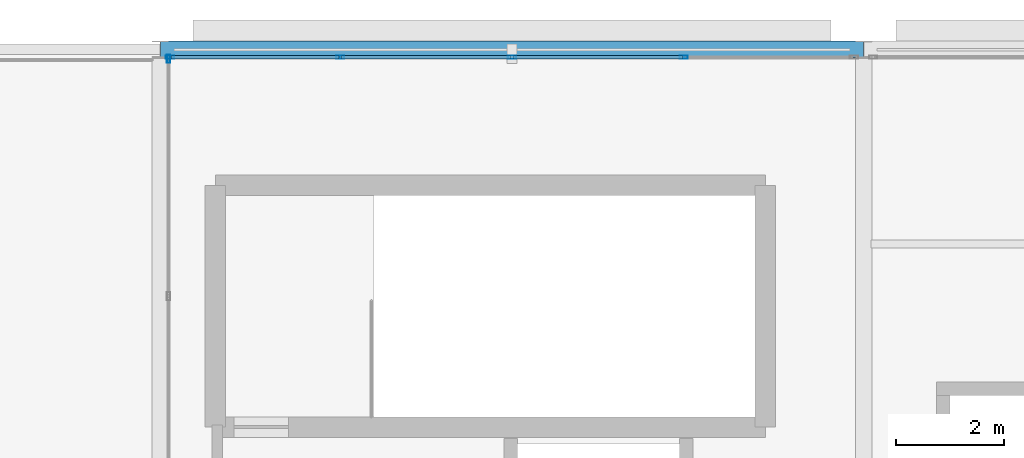
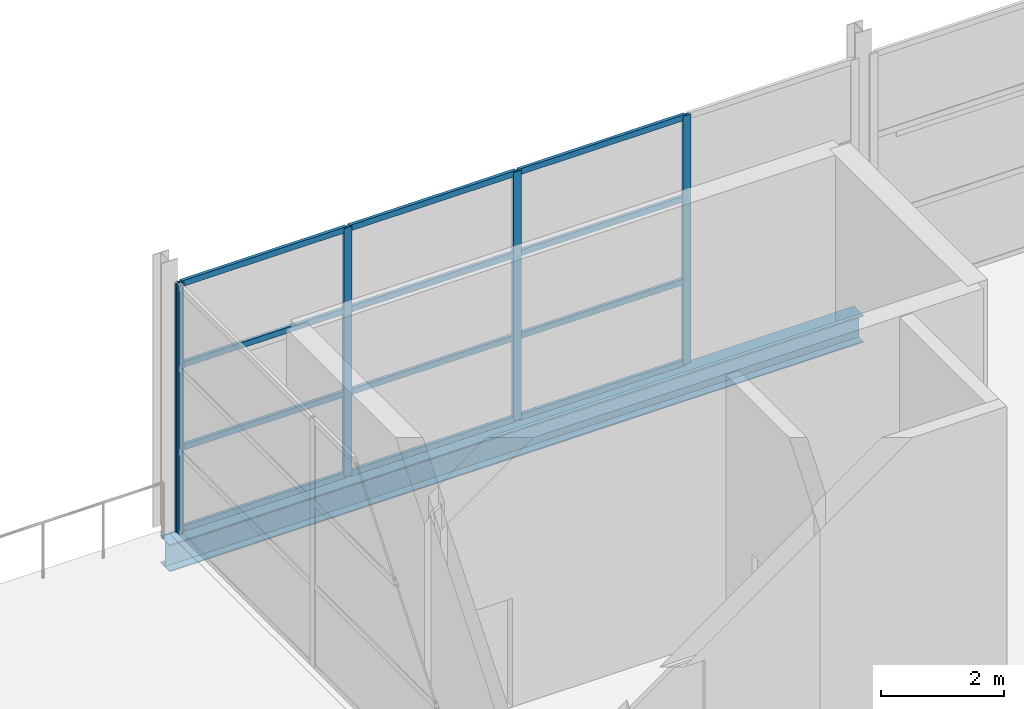
# One storey, part 20 of 34: 17 members, 1 beam, 2 elements without a shape of their own.
"""IFC4 building model written with IfcOpenShell, lengths in metres."""

from ifc_helpers import new_model, si_unit, direction, frame, origin, origin_2d, place, context, subcontext, project, spatial, hollow_rectangle, i_section, extrude, material, layer, layer_set, material_profile, profile_set, type_object, element, aggregate, save


model = new_model("IFC4")

# Units and contexts
model_context = context("Model", 3, precision=1e-05, world=origin(), true_north=direction((0.0, 1.0)))
body_context = subcontext(model_context, "Body", "Model", "MODEL_VIEW")
ifc_project = project(units=[si_unit("LENGTHUNIT", "METRE"), si_unit("AREAUNIT", "SQUARE_METRE"), si_unit("VOLUMEUNIT", "CUBIC_METRE"), si_unit("PLANEANGLEUNIT", "RADIAN"), si_unit("MASSUNIT", "GRAM", prefix="KILO")], contexts=[model_context])

# Site, building, storey
site_placement = place(None, origin())
site = spatial("IfcSite", under=ifc_project, at=site_placement, CompositionType="ELEMENT")
building_placement = place(site_placement, origin())
building = spatial("IfcBuilding", under=site, at=building_placement, Name="Tamarisk Ironworks Central Station", CompositionType="ELEMENT")
storey_placement = place(building_placement, frame((0.0, 0.0, 25.199951171875)))
storey = spatial("IfcBuildingStorey", under=building, at=storey_placement, Name="L05", CompositionType="ELEMENT", Elevation=25.199951171875)

# Beam
ifc_material_1 = material(Name="Structural steel S355J2", Category="steel")
ifc_material_profile_1 = material_profile(ifc_material_1, i_section(OverallWidth=0.300048828125, OverallDepth=0.5400390625, WebThickness=0.012451171875, FlangeThickness=0.02392578125, at=origin_2d()), Name="HEA 550")
ifc_profile_set_1 = profile_set([ifc_material_profile_1], Name="Structural steel S355J2")
beam_type = type_object("IfcBeamType", Name="BM-G04", PredefinedType="BEAM", material=ifc_profile_set_1)
beam_placement = place(storey_placement, frame((140.00390625, 122.39990234375, -0.489990234375), z_axis=(1.0, 0.0, 0.0), x_axis=(0.0, 1.0, 0.0)))
element("IfcBeam", 1, at=beam_placement, inside=storey, type_object=beam_type, Name="L05 primary girder X-0767", PredefinedType="BEAM", context=body_context, shape_type="SweptSolid", body=[
    extrude(i_section(OverallWidth=0.300048828125, OverallDepth=0.5400390625, WebThickness=0.012451171875, FlangeThickness=0.02392578125, at=origin_2d()), origin(), (0.0, 0.0, 1.0), 12.9921875),
])

# Curtain wall, members
ifc_material_2 = material(Name="Anodized aluminium alloy 6063-T6", Category="aluminium")
ifc_layer = layer(ifc_material_2, 0.179931640625)
ifc_layer_set = layer_set([ifc_layer], Name="Anodized aluminium alloy 6063-T6")
curtain_wall_type = type_object("IfcCurtainWallType", Name="CW-20", PredefinedType="USERDEFINED", material=ifc_layer_set)
curtain_wall_1_placement = place(storey_placement, origin())
curtain_wall_1 = element("IfcCurtainWall", 2, at=curtain_wall_1_placement, inside=storey, type_object=curtain_wall_type, Name="Operations L05 north facade curtain wall 140", ObjectType="GLAZED CURTAIN WALL", PredefinedType="USERDEFINED")
ifc_material_profile_2 = material_profile(ifc_material_2, hollow_rectangle(XDim=0.06005859375, YDim=0.14990234375, WallThickness=0.00341796875, at=origin_2d()), Name="ALUM 150x60")
ifc_profile_set_2 = profile_set([ifc_material_profile_2], Name="Anodized aluminium alloy 6063-T6")
member_type_1 = type_object("IfcMemberType", Name="CWM-03", PredefinedType="MULLION", material=ifc_profile_set_2)
member_1_placement = place(storey_placement, frame((140.177978515625, 122.25, 0.0), z_axis=(0.0, 0.0, 1.0), x_axis=(0.0, 1.0, 0.0)))
member_1 = element("IfcMember", 3, at=member_1_placement, type_object=member_type_1, Name="CW20 mullion 1", PredefinedType="MULLION", context=body_context, shape_type="SweptSolid", body=[
    extrude(hollow_rectangle(XDim=0.06005859375, YDim=0.14990234375, WallThickness=0.00341796875, at=origin_2d()), origin(), (0.0, 0.0, 1.0), 4.920166015625),
])
member_2_placement = place(storey_placement, frame((143.323974609375, 122.25, 0.0), z_axis=(0.0, 0.0, 1.0), x_axis=(0.0, 1.0, 0.0)))
member_2 = element("IfcMember", 4, at=member_2_placement, type_object=member_type_1, Name="CW20 mullion 2", PredefinedType="MULLION", context=body_context, shape_type="SweptSolid", body=[
    extrude(hollow_rectangle(XDim=0.06005859375, YDim=0.14990234375, WallThickness=0.00341796875, at=origin_2d()), origin(), (0.0, 0.0, 1.0), 4.920166015625),
])
member_3_placement = place(storey_placement, frame((146.5, 122.25, 0.0), z_axis=(0.0, 0.0, 1.0), x_axis=(0.0, 1.0, 0.0)))
member_3 = element("IfcMember", 5, at=member_3_placement, type_object=member_type_1, Name="CW20 mullion 3", PredefinedType="MULLION", context=body_context, shape_type="SweptSolid", body=[
    extrude(hollow_rectangle(XDim=0.06005859375, YDim=0.14990234375, WallThickness=0.00341796875, at=origin_2d()), origin(), (0.0, 0.0, 1.0), 4.920166015625),
])
member_4_placement = place(storey_placement, frame((149.676025390625, 122.25, 0.0), z_axis=(0.0, 0.0, 1.0), x_axis=(0.0, 1.0, 0.0)))
member_4 = element("IfcMember", 6, at=member_4_placement, type_object=member_type_1, Name="CW20 mullion 4", PredefinedType="MULLION", context=body_context, shape_type="SweptSolid", body=[
    extrude(hollow_rectangle(XDim=0.06005859375, YDim=0.14990234375, WallThickness=0.00341796875, at=origin_2d()), origin(), (0.0, 0.0, 1.0), 4.920166015625),
])

# Curtain wall, member
curtain_wall_2_placement = place(storey_placement, origin())
curtain_wall_2 = element("IfcCurtainWall", 7, at=curtain_wall_2_placement, inside=storey, type_object=curtain_wall_type, Name="Crown terrace overlook curtain wall L05-159", ObjectType="GLAZED CURTAIN WALL", PredefinedType="USERDEFINED")
member_5_placement = place(storey_placement, frame((140.14990234375, 122.221923828125, 0.0), z_axis=(0.0, 0.0, 1.0), x_axis=(-1.0, 0.0, 0.0)))
member_5 = element("IfcMember", 8, at=member_5_placement, type_object=member_type_1, Name="CW20 mullion 4", PredefinedType="MULLION", context=body_context, shape_type="SweptSolid", body=[
    extrude(hollow_rectangle(XDim=0.06005859375, YDim=0.14990234375, WallThickness=0.00341796875, at=origin_2d()), origin(), (0.0, 0.0, 1.0), 4.920166015625),
])
aggregate(curtain_wall_2, [member_5])

# Member
ifc_material_profile_3 = material_profile(ifc_material_2, hollow_rectangle(XDim=0.06005859375, YDim=0.114990234375, WallThickness=0.00341796875, at=origin_2d()), Name="ALUM 115x60")
ifc_profile_set_3 = profile_set([ifc_material_profile_3], Name="Anodized aluminium alloy 6063-T6")
member_type_2 = type_object("IfcMemberType", Name="CWT-03", PredefinedType="USERDEFINED", material=ifc_profile_set_3)
member_6_placement = place(storey_placement, frame((140.2041015625, 122.25, 0.030029296875), z_axis=(1.0, 0.0, 0.0), x_axis=(0.0, 1.0, 0.0)))
member_6 = element("IfcMember", 9, at=member_6_placement, type_object=member_type_2, Name="CW20 transom 1.1", ObjectType="TRANSOM", PredefinedType="USERDEFINED", context=body_context, shape_type="SweptSolid", body=[
    extrude(hollow_rectangle(XDim=0.06005859375, YDim=0.114990234375, WallThickness=0.00341796875, at=origin_2d()), origin(), (0.0, 0.0, 1.0), 3.093994140625),
])

member_7_placement = place(storey_placement, frame((140.2041015625, 122.25, 1.64013671875), z_axis=(1.0, 0.0, 0.0), x_axis=(0.0, 1.0, 0.0)))
member_7 = element("IfcMember", 10, at=member_7_placement, type_object=member_type_2, Name="CW20 transom 1.2", ObjectType="TRANSOM", PredefinedType="USERDEFINED", context=body_context, shape_type="SweptSolid", body=[
    extrude(hollow_rectangle(XDim=0.06005859375, YDim=0.114990234375, WallThickness=0.00341796875, at=origin_2d()), origin(), (0.0, 0.0, 1.0), 3.093994140625),
])

member_8_placement = place(storey_placement, frame((140.2041015625, 122.25, 3.280029296875), z_axis=(1.0, 0.0, 0.0), x_axis=(0.0, 1.0, 0.0)))
member_8 = element("IfcMember", 11, at=member_8_placement, type_object=member_type_2, Name="CW20 transom 1.3", ObjectType="TRANSOM", PredefinedType="USERDEFINED", context=body_context, shape_type="SweptSolid", body=[
    extrude(hollow_rectangle(XDim=0.06005859375, YDim=0.114990234375, WallThickness=0.00341796875, at=origin_2d()), origin(), (0.0, 0.0, 1.0), 3.093994140625),
])

member_9_placement = place(storey_placement, frame((140.2041015625, 122.25, 4.89013671875), z_axis=(1.0, 0.0, 0.0), x_axis=(0.0, 1.0, 0.0)))
member_9 = element("IfcMember", 12, at=member_9_placement, type_object=member_type_2, Name="CW20 transom 1.4", ObjectType="TRANSOM", PredefinedType="USERDEFINED", context=body_context, shape_type="SweptSolid", body=[
    extrude(hollow_rectangle(XDim=0.06005859375, YDim=0.114990234375, WallThickness=0.00341796875, at=origin_2d()), origin(), (0.0, 0.0, 1.0), 3.093994140625),
])

member_10_placement = place(storey_placement, frame((143.35009765625, 122.25, 0.030029296875), z_axis=(1.0, 0.0, 0.0), x_axis=(0.0, 1.0, 0.0)))
member_10 = element("IfcMember", 13, at=member_10_placement, type_object=member_type_2, Name="CW20 transom 2.1", ObjectType="TRANSOM", PredefinedType="USERDEFINED", context=body_context, shape_type="SweptSolid", body=[
    extrude(hollow_rectangle(XDim=0.06005859375, YDim=0.114990234375, WallThickness=0.00341796875, at=origin_2d()), origin(), (0.0, 0.0, 1.0), 3.1240234375),
])

member_11_placement = place(storey_placement, frame((143.35009765625, 122.25, 1.64013671875), z_axis=(1.0, 0.0, 0.0), x_axis=(0.0, 1.0, 0.0)))
member_11 = element("IfcMember", 14, at=member_11_placement, type_object=member_type_2, Name="CW20 transom 2.2", ObjectType="TRANSOM", PredefinedType="USERDEFINED", context=body_context, shape_type="SweptSolid", body=[
    extrude(hollow_rectangle(XDim=0.06005859375, YDim=0.114990234375, WallThickness=0.00341796875, at=origin_2d()), origin(), (0.0, 0.0, 1.0), 3.1240234375),
])

member_12_placement = place(storey_placement, frame((143.35009765625, 122.25, 3.280029296875), z_axis=(1.0, 0.0, 0.0), x_axis=(0.0, 1.0, 0.0)))
member_12 = element("IfcMember", 15, at=member_12_placement, type_object=member_type_2, Name="CW20 transom 2.3", ObjectType="TRANSOM", PredefinedType="USERDEFINED", context=body_context, shape_type="SweptSolid", body=[
    extrude(hollow_rectangle(XDim=0.06005859375, YDim=0.114990234375, WallThickness=0.00341796875, at=origin_2d()), origin(), (0.0, 0.0, 1.0), 3.1240234375),
])

member_13_placement = place(storey_placement, frame((143.35009765625, 122.25, 4.89013671875), z_axis=(1.0, 0.0, 0.0), x_axis=(0.0, 1.0, 0.0)))
member_13 = element("IfcMember", 16, at=member_13_placement, type_object=member_type_2, Name="CW20 transom 2.4", ObjectType="TRANSOM", PredefinedType="USERDEFINED", context=body_context, shape_type="SweptSolid", body=[
    extrude(hollow_rectangle(XDim=0.06005859375, YDim=0.114990234375, WallThickness=0.00341796875, at=origin_2d()), origin(), (0.0, 0.0, 1.0), 3.1240234375),
])

member_14_placement = place(storey_placement, frame((146.52587890625, 122.25, 0.030029296875), z_axis=(1.0, 0.0, 0.0), x_axis=(0.0, 1.0, 0.0)))
member_14 = element("IfcMember", 17, at=member_14_placement, type_object=member_type_2, Name="CW20 transom 3.1", ObjectType="TRANSOM", PredefinedType="USERDEFINED", context=body_context, shape_type="SweptSolid", body=[
    extrude(hollow_rectangle(XDim=0.06005859375, YDim=0.114990234375, WallThickness=0.00341796875, at=origin_2d()), origin(), (0.0, 0.0, 1.0), 3.1240234375),
])

member_15_placement = place(storey_placement, frame((146.52587890625, 122.25, 1.64013671875), z_axis=(1.0, 0.0, 0.0), x_axis=(0.0, 1.0, 0.0)))
member_15 = element("IfcMember", 18, at=member_15_placement, type_object=member_type_2, Name="CW20 transom 3.2", ObjectType="TRANSOM", PredefinedType="USERDEFINED", context=body_context, shape_type="SweptSolid", body=[
    extrude(hollow_rectangle(XDim=0.06005859375, YDim=0.114990234375, WallThickness=0.00341796875, at=origin_2d()), origin(), (0.0, 0.0, 1.0), 3.1240234375),
])

member_16_placement = place(storey_placement, frame((146.52587890625, 122.25, 3.280029296875), z_axis=(1.0, 0.0, 0.0), x_axis=(0.0, 1.0, 0.0)))
member_16 = element("IfcMember", 19, at=member_16_placement, type_object=member_type_2, Name="CW20 transom 3.3", ObjectType="TRANSOM", PredefinedType="USERDEFINED", context=body_context, shape_type="SweptSolid", body=[
    extrude(hollow_rectangle(XDim=0.06005859375, YDim=0.114990234375, WallThickness=0.00341796875, at=origin_2d()), origin(), (0.0, 0.0, 1.0), 3.1240234375),
])

member_17_placement = place(storey_placement, frame((146.52587890625, 122.25, 4.89013671875), z_axis=(1.0, 0.0, 0.0), x_axis=(0.0, 1.0, 0.0)))
member_17 = element("IfcMember", 20, at=member_17_placement, type_object=member_type_2, Name="CW20 transom 3.4", ObjectType="TRANSOM", PredefinedType="USERDEFINED", context=body_context, shape_type="SweptSolid", body=[
    extrude(hollow_rectangle(XDim=0.06005859375, YDim=0.114990234375, WallThickness=0.00341796875, at=origin_2d()), origin(), (0.0, 0.0, 1.0), 3.1240234375),
])

aggregate(curtain_wall_1, [member_1, member_2, member_3, member_4, member_6, member_7, member_8, member_9, member_10, member_11, member_12, member_13, member_14, member_15, member_16, member_17])

save(model, "model.ifc")
